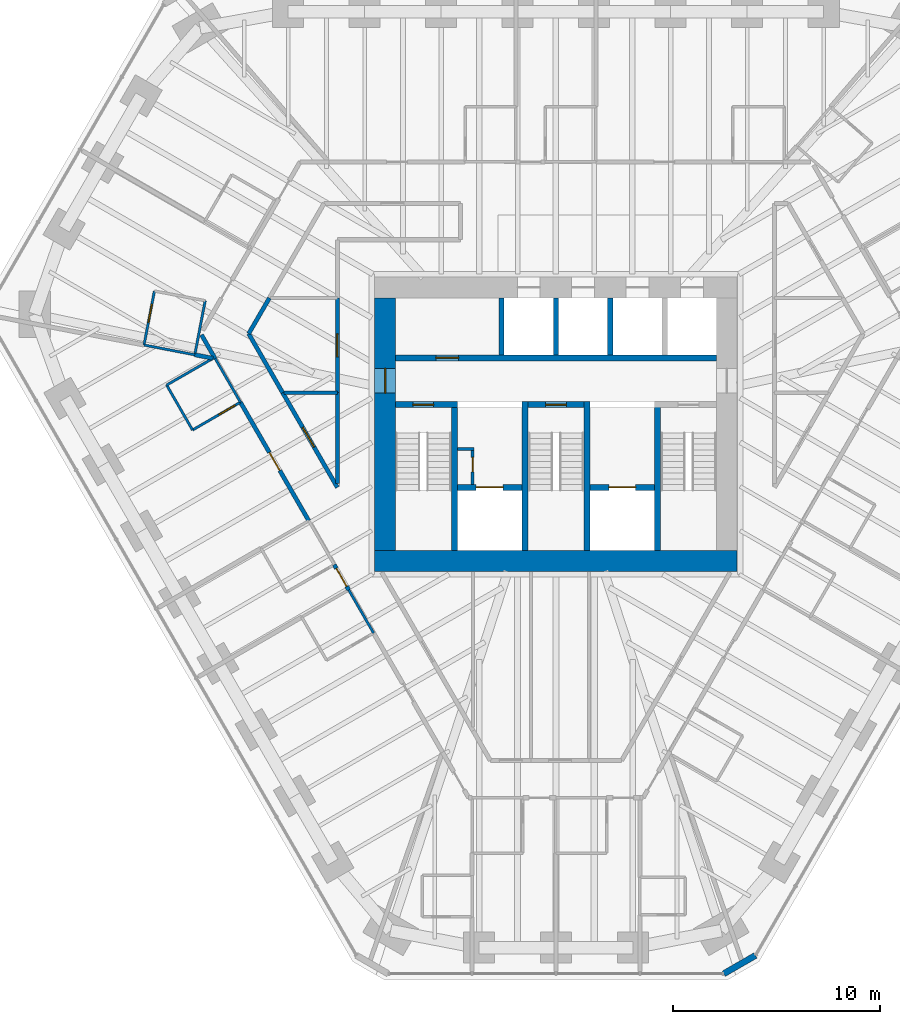
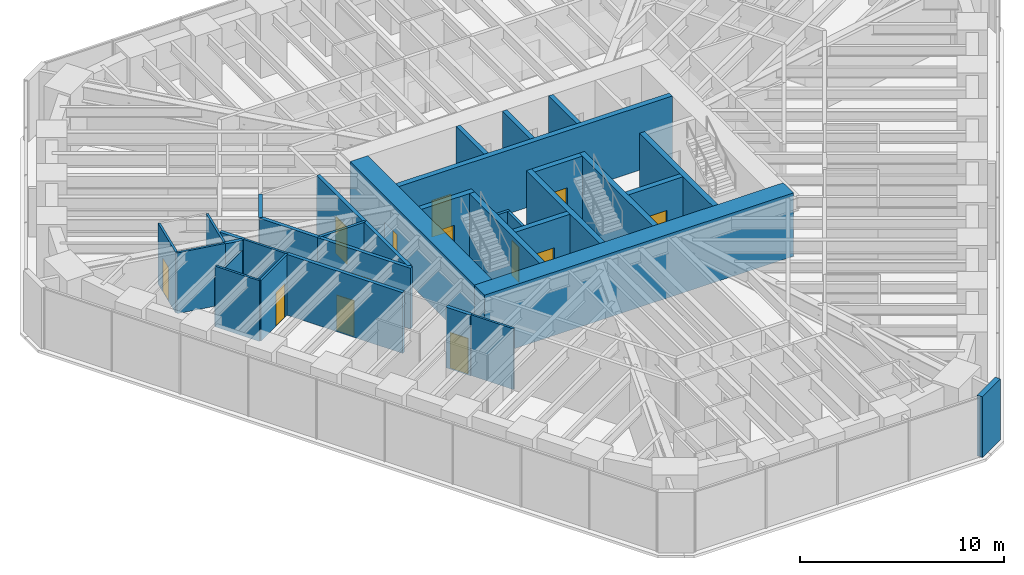
# One storey, part 12 of 16: 35 walls, 13 doors, 13 openings.
"""IFC4 building model written with IfcOpenShell, lengths in metres."""

import ifcopenshell
import ifcopenshell.guid

model = None  # the IFC model being written
_history = None  # IfcOwnerHistory: only IFC2X3 demands one
_inside = {}  # id of a spatial element -> (the spatial element, [elements in it])
_under = {}  # id of a project, library or spatial element -> (it, [spatial elements below it])
_declared = {}  # id of a project -> (the project, [libraries it declares])
_typed = {}  # id of a type object -> (the type object, [elements of that type])
_made_of = {}  # id of a material, layer set ... -> (it, [elements and type objects made of it])


def new_model(schema):
    """Start an empty IFC model of exactly this schema.

    Asked for "IFC4X3", IfcOpenShell would pick the latest addendum, in which some entities
    have other attributes; the version numbers below select the first issue.
    IFC2X3 requires an IfcOwnerHistory on every rooted entity: one is made here for all.
    """
    global model, _history
    if schema == "IFC4X3":
        model = ifcopenshell.file(schema_version=(4, 3, 0, 0))
    else:
        model = ifcopenshell.file(schema=schema)
    _inside.clear()
    _under.clear()
    _declared.clear()
    _typed.clear()
    _made_of.clear()
    _history = None
    if model.schema == "IFC2X3":
        org = make("IfcOrganization", Name="unknown")
        user = make(
            "IfcPersonAndOrganization",
            ThePerson=make("IfcPerson", FamilyName="unknown"),
            TheOrganization=org,
        )
        app = make(
            "IfcApplication",
            ApplicationDeveloper=org,
            Version="unknown",
            ApplicationFullName="unknown",
            ApplicationIdentifier="unknown",
        )
        _history = make(
            "IfcOwnerHistory",
            OwningUser=user,
            OwningApplication=app,
            ChangeAction="ADDED",
            CreationDate=0,
        )
    return model


def make(cls, **values):
    """One entity of the class cls with the attributes given. An attribute that is None is left unset."""
    return model.create_entity(
        cls, **{name: value for name, value in values.items() if value is not None}
    )


def rooted(cls, **values):
    """An entity with a GlobalId (a new one), such as an element, a storey or a relation."""
    return make(cls, GlobalId=ifcopenshell.guid.new(), OwnerHistory=_history, **values)


def si_unit(unit_type, name, prefix=None):
    """IfcSIUnit, for example si_unit("LENGTHUNIT", "METRE", prefix="MILLI")."""
    return make("IfcSIUnit", UnitType=unit_type, Prefix=prefix, Name=name)


def assignment(units):
    """IfcUnitAssignment: the units of a project."""
    return None if units is None else make("IfcUnitAssignment", Units=units)


def point(xyz):
    """IfcCartesianPoint."""
    return None if xyz is None else make("IfcCartesianPoint", Coordinates=xyz)


def direction(xyz):
    """IfcDirection."""
    return None if xyz is None else make("IfcDirection", DirectionRatios=xyz)


def frame(location, z_axis=None, x_axis=None):
    """IfcAxis2Placement3D, a coordinate frame: its origin and axes. An axis left out is left unset."""
    return make(
        "IfcAxis2Placement3D",
        Location=point(location),
        Axis=direction(z_axis),
        RefDirection=direction(x_axis),
    )


def frame_2d(location, x_axis=None):
    """IfcAxis2Placement2D, a coordinate frame in the plane: its origin and x axis."""
    return make(
        "IfcAxis2Placement2D", Location=point(location), RefDirection=direction(x_axis)
    )


def origin():
    """The frame at (0, 0, 0) with its axes left unset."""
    return frame((0.0, 0.0, 0.0))


def place(relative_to, where):
    """IfcLocalPlacement: puts the frame where relative to a parent placement (None: the world)."""
    return make(
        "IfcLocalPlacement", PlacementRelTo=relative_to, RelativePlacement=where
    )


def context(
    kind, dimensions, precision=None, world=None, true_north=None, identifier=None
):
    """IfcGeometricRepresentationContext, for example the 3D "Model" context."""
    return make(
        "IfcGeometricRepresentationContext",
        ContextIdentifier=identifier,
        ContextType=kind,
        CoordinateSpaceDimension=dimensions,
        Precision=precision,
        WorldCoordinateSystem=world,
        TrueNorth=true_north,
    )


def subcontext(parent, identifier, kind, view, scale=None):
    """IfcGeometricRepresentationSubContext, for example "Body" below "Model"."""
    return make(
        "IfcGeometricRepresentationSubContext",
        ContextIdentifier=identifier,
        ContextType=kind,
        ParentContext=parent,
        TargetScale=scale,
        TargetView=view,
    )


def project(units=None, contexts=None):
    """IfcProject with its units and contexts."""
    return rooted(
        "IfcProject",
        Name="project",
        RepresentationContexts=contexts,
        UnitsInContext=assignment(units),
    )


def spatial(cls, under=None, at=None, **own):
    """A site, building, storey or space (cls), placed at a placement, below another one or the project."""
    s = rooted(cls, ObjectPlacement=at, **own)
    if under is not None:
        _under.setdefault(under.id(), (under, []))[1].append(s)
    return s


def profile(cls, at=None, kind="AREA", **sizes):
    """A parametric profile (cls). Its sizes go by their IFC names, for example OverallWidth=200.0."""
    return make(cls, ProfileType=kind, Position=at, **sizes)


def rectangle(**sizes):
    """IfcRectangleProfileDef."""
    return profile("IfcRectangleProfileDef", **sizes)


def extrude(swept, where, along, depth):
    """IfcExtrudedAreaSolid: the profile swept, set in the frame where, extruded along a direction by depth."""
    return make(
        "IfcExtrudedAreaSolid",
        SweptArea=swept,
        Position=where,
        ExtrudedDirection=direction(along),
        Depth=depth,
    )


def shape(context_of_items, identifier, shape_type, items):
    """IfcShapeRepresentation: the items that make up one representation, for example the "Body"."""
    return make(
        "IfcShapeRepresentation",
        ContextOfItems=context_of_items,
        RepresentationIdentifier=identifier,
        RepresentationType=shape_type,
        Items=items,
    )


def material(Name=None, Category=None):
    """IfcMaterial."""
    return make("IfcMaterial", Name=Name, Category=Category)


def layer(
    of_material, thickness, ventilated=None, Name=None, Category=None, Priority=None
):
    """IfcMaterialLayer: one layer of a wall or slab, of a material (None: an air gap)."""
    return make(
        "IfcMaterialLayer",
        Material=of_material,
        LayerThickness=thickness,
        IsVentilated=ventilated,
        Name=Name,
        Category=Category,
        Priority=Priority,
    )


def layer_set(layers, Name=None):
    """IfcMaterialLayerSet."""
    return make("IfcMaterialLayerSet", MaterialLayers=layers, LayerSetName=Name)


def made_of(thing, what):
    """Note that an element or type object is made of a material, layer set ...; save() writes the relation."""
    if what is not None:
        _made_of.setdefault(what.id(), (what, []))[1].append(thing)
    return thing


def type_object(cls, material=None, **own):
    """A type object (cls), such as IfcWallType, which elements share."""
    return made_of(rooted(cls, **own), material)


def element(
    cls,
    number,
    at=None,
    inside=None,
    cuts=None,
    type_object=None,
    material=None,
    context=None,
    identifier="Body",
    shape_type=None,
    held_by="IfcProductDefinitionShape",
    body=None,
    shapes=None,
    **own,
):
    """One element of the class cls, such as IfcWall. Its Tag is "e" and its number.

    at: its placement. inside: the storey or other place that contains it. cuts: it is an
    opening in that element (IfcRelVoidsElement). A single representation is given by context,
    identifier, shape_type and body (its items); several are given by shapes. held_by: the class
    of the entity that holds the representations. save() writes the other relations.
    """
    e = rooted(cls, Tag="e%d" % number, ObjectPlacement=at, **own)
    if body is not None:
        shapes = [shape(context, identifier, shape_type, body)]
    if shapes is not None:
        e.Representation = make(held_by, Representations=shapes)
    if inside is not None:
        _inside.setdefault(inside.id(), (inside, []))[1].append(e)
    if cuts is not None:
        rooted(
            "IfcRelVoidsElement", RelatingBuildingElement=cuts, RelatedOpeningElement=e
        )
    if type_object is not None:
        _typed.setdefault(type_object.id(), (type_object, []))[1].append(e)
    return made_of(e, material)


def fill(opening, filler):
    """IfcRelFillsElement: the door or window that sits in an opening."""
    return rooted(
        "IfcRelFillsElement",
        RelatingOpeningElement=opening,
        RelatedBuildingElement=filler,
    )


def aggregate(whole, parts):
    """IfcRelAggregates: a whole, such as a stair, and the parts it consists of."""
    return rooted("IfcRelAggregates", RelatingObject=whole, RelatedObjects=parts)


def save(model, path):
    """Write the relations noted so far, then the file.

    IfcRelAggregates (storeys below a building ...), IfcRelContainedInSpatialStructure (elements
    in a storey), IfcRelDefinesByType, IfcRelAssociatesMaterial and IfcRelDeclares: one each for
    every whole, place, type object, material and project.
    """
    for whole, parts in _under.values():
        aggregate(whole, parts)
    for where, things in _inside.values():
        rooted(
            "IfcRelContainedInSpatialStructure",
            RelatedElements=things,
            RelatingStructure=where,
        )
    for kind, things in _typed.values():
        rooted("IfcRelDefinesByType", RelatedObjects=things, RelatingType=kind)
    for what, things in _made_of.values():
        rooted("IfcRelAssociatesMaterial", RelatedObjects=things, RelatingMaterial=what)
    for by, libraries in _declared.values():
        rooted("IfcRelDeclares", RelatingContext=by, RelatedDefinitions=libraries)
    model.write(path)


model = new_model("IFC4")

# Units and contexts
model_context = context("Model", 3, precision=1e-05, world=origin(), true_north=direction((0.0, 1.0)))
body_context = subcontext(model_context, "Body", "Model", "MODEL_VIEW")
ifc_project = project(units=[si_unit("LENGTHUNIT", "METRE"), si_unit("AREAUNIT", "SQUARE_METRE"), si_unit("VOLUMEUNIT", "CUBIC_METRE"), si_unit("PLANEANGLEUNIT", "RADIAN"), si_unit("MASSUNIT", "GRAM", prefix="KILO")], contexts=[model_context])

# Site, building, storey
site_placement = place(None, origin())
site = spatial("IfcSite", under=ifc_project, at=site_placement, CompositionType="ELEMENT")
building_placement = place(site_placement, origin())
building = spatial("IfcBuilding", under=site, at=building_placement, Name="Sandreach Pilgrim Tower", CompositionType="ELEMENT")
storey_placement = place(building_placement, frame((0.0, 0.0, 190.800048828125)))
storey = spatial("IfcBuildingStorey", under=building, at=storey_placement, Name="L47", CompositionType="ELEMENT", Elevation=190.800048828125)

# Walls
ifc_material_1 = material(Name="Gypsum board on steel studs", Category="steel")
ifc_layer_1 = layer(ifc_material_1, 0.14990234375)
ifc_layer_set_1 = layer_set([ifc_layer_1], Name="Back of house wall 150")
wall_type_1 = type_object("IfcWallType", Name="Back of house wall 150", PredefinedType="PARTITIONING", material=ifc_layer_set_1)
wall_1_placement = place(storey_placement, frame((-10.550048828125, 1.52001953125, 0.0), z_axis=(0.0, 0.0, 1.0), x_axis=(-1.0, 0.0, 0.0)))
element("IfcWall", 1, at=wall_1_placement, inside=storey, type_object=wall_type_1, Name="Back of house wall L47-039", PredefinedType="PARTITIONING", context=body_context, shape_type="SweptSolid", body=[
    extrude(rectangle(XDim=2.5849609375, YDim=0.14990234375, at=frame_2d((1.29248046875, 0.0))), origin(), (0.0, 0.0, 1.0), 3.639892578125),
])
ifc_material_2 = material(Name="Moisture-resistant gypsum board on steel studs", Category="steel")
ifc_layer_2 = layer(ifc_material_2, 0.1201171875)
ifc_layer_set_2 = layer_set([ifc_layer_2], Name="Bathroom partition 120")
wall_type_2 = type_object("IfcWallType", Name="Bathroom partition 120", PredefinedType="PARTITIONING", material=ifc_layer_set_2)
wall_2_placement = place(storey_placement, frame((-19.88134765625, 3.82275390625, 0.0), z_axis=(0.0, 0.0, 1.0), x_axis=(0.981896775229, -0.189416796496, 0.0)))
element("IfcWall", 2, at=wall_2_placement, inside=storey, type_object=wall_type_2, Name="Bathroom partition L47-002", PredefinedType="PARTITIONING", context=body_context, shape_type="SweptSolid", body=[
    extrude(rectangle(XDim=2.49658203125, YDim=0.1201171875, at=frame_2d((1.248291015625, 0.0))), origin(), (0.0, 0.0, 1.0), 3.639892578125),
])

# Wall, opening, door
wall_3_placement = place(storey_placement, frame((-19.3798828125, 6.429931640625, 0.0), z_axis=(0.0, 0.0, 1.0), x_axis=(-0.18885765444, -0.982004473696, 0.0)))
wall_3 = element("IfcWall", 3, at=wall_3_placement, inside=storey, type_object=wall_type_2, Name="Bathroom partition L47-003", PredefinedType="PARTITIONING", context=body_context, shape_type="SweptSolid", body=[
    extrude(rectangle(XDim=2.6474609375, YDim=0.1201171875, at=frame_2d((1.32373046875, 0.0))), origin(), (0.0, 0.0, 1.0), 3.639892578125),
])
opening_1_placement = place(wall_3_placement, frame((0.64990234375, 0.0, 0.0)))
opening_1 = element("IfcOpeningElement", 4, at=opening_1_placement, cuts=wall_3, Name="Opening D09-16B", PredefinedType="OPENING", context=body_context, shape_type="SweptSolid", body=[
    extrude(rectangle(XDim=0.89990234375, YDim=2.030029296875, at=frame_2d((0.449951171875, 1.01513671875))), frame((0.0, 0.06005859375, 0.0), z_axis=(0.0, -1.0, 0.0), x_axis=(1.0, 0.0, 0.0)), (0.0, 0.0, 1.0), 0.1201171875),
])
ifc_material_3 = material(Name="Timber door, steel frame", Category="steel")
door_type_1 = type_object("IfcDoorType", Name="Bathroom door", OperationType="SINGLE_SWING_LEFT", PredefinedType="DOOR", material=ifc_material_3)
door_1_placement = place(opening_1_placement, origin())
door_1 = element("IfcDoor", 5, at=door_1_placement, inside=storey, type_object=door_type_1, Name="Door 4716B", OperationType="SINGLE_SWING_LEFT", OverallHeight=2.030029296875, OverallWidth=0.89990234375, PredefinedType="DOOR", context=body_context, shape_type="SweptSolid", body=[
    extrude(rectangle(XDim=0.89990234375, YDim=2.030029296875, at=frame_2d((0.449951171875, 1.01513671875))), frame((0.0, 0.02490234375, 0.0), z_axis=(0.0, -1.0, 0.0), x_axis=(1.0, 0.0, 0.0)), (0.0, 0.0, 1.0), 0.050048828125),
])
fill(opening_1, door_1)

# Wall
wall_4_placement = place(storey_placement, frame((-18.7900390625, 1.889892578125, 0.0), z_axis=(0.0, 0.0, 1.0), x_axis=(0.499159685399, -0.866510016372, 0.0)))
element("IfcWall", 6, at=wall_4_placement, inside=storey, type_object=wall_type_2, Name="Bathroom partition L47-005", PredefinedType="PARTITIONING", context=body_context, shape_type="SweptSolid", body=[
    extrude(rectangle(XDim=2.504150390625, YDim=0.1201171875, at=frame_2d((1.251953125, 0.0))), origin(), (0.0, 0.0, 1.0), 3.639892578125),
])

# Wall, opening, door
wall_5_placement = place(storey_placement, frame((-17.5400390625, -0.280029296875, 0.0), z_axis=(0.0, 0.0, 1.0), x_axis=(0.86498992408, 0.501789229896, 0.0)))
wall_5 = element("IfcWall", 7, at=wall_5_placement, inside=storey, type_object=wall_type_2, Name="Bathroom partition L47-006", PredefinedType="PARTITIONING", context=body_context, shape_type="SweptSolid", body=[
    extrude(rectangle(XDim=2.670654296875, YDim=0.1201171875, at=frame_2d((1.33544921875, 0.0))), origin(), (0.0, 0.0, 1.0), 3.639892578125),
])
opening_2_placement = place(wall_5_placement, frame((1.470458984375, 0.0, 0.0)))
opening_2 = element("IfcOpeningElement", 8, at=opening_2_placement, cuts=wall_5, Name="Opening D09-15B", PredefinedType="OPENING", context=body_context, shape_type="SweptSolid", body=[
    extrude(rectangle(XDim=0.89990234375, YDim=2.030029296875, at=frame_2d((0.449951171875, 1.01513671875))), frame((0.0, 0.06005859375, 0.0), z_axis=(0.0, -1.0, 0.0), x_axis=(1.0, 0.0, 0.0)), (0.0, 0.0, 1.0), 0.1201171875),
])
door_2_placement = place(opening_2_placement, origin())
door_2 = element("IfcDoor", 9, at=door_2_placement, inside=storey, type_object=door_type_1, Name="Door 4715B", OperationType="SINGLE_SWING_RIGHT", OverallHeight=2.030029296875, OverallWidth=0.89990234375, PredefinedType="DOOR", context=body_context, shape_type="SweptSolid", body=[
    extrude(rectangle(XDim=0.89990234375, YDim=2.030029296875, at=frame_2d((0.449951171875, 1.01513671875))), frame((0.0, 0.02490234375, 0.0), z_axis=(0.0, -1.0, 0.0), x_axis=(1.0, 0.0, 0.0)), (0.0, 0.0, 1.0), 0.050048828125),
])
fill(opening_2, door_2)

# Walls
wall_6_placement = place(storey_placement, frame((-17.429931640625, 3.35009765625, 0.0), z_axis=(0.0, 0.0, 1.0), x_axis=(0.188159009227, 0.982138578433, 0.0)))
element("IfcWall", 10, at=wall_6_placement, inside=storey, type_object=wall_type_2, Name="Bathroom partition L47-007", PredefinedType="PARTITIONING", context=body_context, shape_type="SweptSolid", body=[
    extrude(rectangle(XDim=2.6572265625, YDim=0.1201171875, at=frame_2d((1.32861328125, 0.0))), origin(), (0.0, 0.0, 1.0), 3.639892578125),
])
wall_7_placement = place(storey_placement, frame((-16.623779296875, 3.1376953125, 0.0), z_axis=(0.0, 0.0, 1.0), x_axis=(-0.866525185869, -0.499133351175, 0.0)))
element("IfcWall", 11, at=wall_7_placement, inside=storey, type_object=wall_type_2, Name="Bathroom partition L47-014", PredefinedType="PARTITIONING", context=body_context, shape_type="SweptSolid", body=[
    extrude(rectangle(XDim=2.5, YDim=0.1201171875, at=frame_2d((1.25, 0.0))), origin(), (0.0, 0.0, 1.0), 3.0380859375),
])
wall_8_placement = place(storey_placement, frame((-16.44677734375, 3.171875, 0.0), z_axis=(0.0, 0.0, 1.0), x_axis=(0.500329330271, -0.865835181354, 0.0)))
element("IfcWall", 12, at=wall_8_placement, inside=storey, type_object=wall_type_2, Name="Bathroom partition L47-015", PredefinedType="PARTITIONING", context=body_context, shape_type="SweptSolid", body=[
    extrude(rectangle(XDim=2.437255859375, YDim=0.1201171875, at=frame_2d((1.21875, 0.0))), origin(), (0.0, 0.0, 1.0), 3.639892578125),
])
wall_9_placement = place(storey_placement, frame((-10.0, -8.0, 0.0), z_axis=(0.0, 0.0, 1.0), x_axis=(0.499693115345, -0.866202511239, 0.0)))
element("IfcWall", 13, at=wall_9_placement, inside=storey, type_object=wall_type_2, Name="Bathroom partition L47-043", PredefinedType="PARTITIONING", context=body_context, shape_type="SweptSolid", body=[
    extrude(rectangle(XDim=2.4013671875, YDim=0.1201171875, at=frame_2d((1.20068359375, 0.0))), origin(), (0.0, 0.0, 1.0), 3.639892578125),
])
ifc_material_4 = material(Name="Concrete 10000 psi", Category="concrete")
ifc_layer_3 = layer(ifc_material_4, 0.300048828125)
ifc_layer_set_3 = layer_set([ifc_layer_3], Name="Core inner wall 300")
wall_type_3 = type_object("IfcWallType", Name="Core inner wall 300", PredefinedType="SHEAR", material=ifc_layer_set_3)
for number, where, z_axis, x_axis, name in (
    (14, (-4.89990234375, -6.10009765625, 0.0), (0.0, 0.0, 1.0), (0.0, 1.0, 0.0), "Core wall I0 L47"),
    (15, (-1.5, -6.10009765625, 0.0), (0.0, 0.0, 1.0), (0.0, 1.0, 0.0), "Core wall I1 L47"),
    (16, (1.5, -6.10009765625, 0.0), (0.0, 0.0, 1.0), (0.0, 1.0, 0.0), "Core wall I2 L47"),
    (17, (4.89990234375, -6.10009765625, 0.0), (0.0, 0.0, 1.0), (0.0, 1.0, 0.0), "Core wall I3 L47"),
):
    element("IfcWall", number, at=place(storey_placement, frame(where, z_axis=z_axis, x_axis=x_axis)), inside=storey, type_object=wall_type_3, Name=name, PredefinedType="SHEAR", context=body_context, shape_type="SweptSolid", body=[
        extrude(rectangle(XDim=7.2001953125, YDim=0.300048828125, at=frame_2d((3.60009765625, 0.0))), origin(), (0.0, 0.0, 1.0), 3.800048828125),
    ])

# Wall, opening, door
wall_10_placement = place(storey_placement, frame((-7.75, 0.949951171875, 0.0), z_axis=(0.0, 0.0, 1.0), x_axis=(1.0, 0.0, 0.0)))
wall_10 = element("IfcWall", 18, at=wall_10_placement, inside=storey, type_object=wall_type_3, Name="Core wall SN1 L47", PredefinedType="SHEAR", context=body_context, shape_type="SweptSolid", body=[
    extrude(rectangle(XDim=3.0, YDim=0.300048828125, at=frame_2d((1.5, 0.0))), origin(), (0.0, 0.0, 1.0), 3.800048828125),
])
opening_3_placement = place(wall_10_placement, frame((0.85009765625, 0.0, 0.0)))
opening_3 = element("IfcOpeningElement", 19, at=opening_3_placement, cuts=wall_10, Name="Opening D10S-ST1", PredefinedType="OPENING", context=body_context, shape_type="SweptSolid", body=[
    extrude(rectangle(XDim=1.0, YDim=2.199951171875, at=frame_2d((0.5, 1.10009765625))), frame((0.0, 0.14990234375, 0.0), z_axis=(0.0, -1.0, 0.0), x_axis=(1.0, 0.0, 0.0)), (0.0, 0.0, 1.0), 0.300048828125),
])
ifc_material_5 = material(Name="Steel door and frame", Category="steel")
door_type_2 = type_object("IfcDoorType", Name="Stair door", OperationType="SINGLE_SWING_LEFT", PredefinedType="DOOR", material=ifc_material_5)
door_3_placement = place(opening_3_placement, origin())
door_3 = element("IfcDoor", 20, at=door_3_placement, inside=storey, type_object=door_type_2, Name="Stair door ST1 L47", OperationType="SINGLE_SWING_LEFT", OverallHeight=2.199951171875, OverallWidth=1.0, PredefinedType="DOOR", context=body_context, shape_type="SweptSolid", body=[
    extrude(rectangle(XDim=1.0, YDim=2.199951171875, at=frame_2d((0.5, 1.10009765625))), frame((0.0, 0.02490234375, 0.0), z_axis=(0.0, -1.0, 0.0), x_axis=(1.0, 0.0, 0.0)), (0.0, 0.0, 1.0), 0.050048828125),
])
fill(opening_3, door_3)

wall_11_placement = place(storey_placement, frame((-1.35009765625, 0.949951171875, 0.0), z_axis=(0.0, 0.0, 1.0), x_axis=(1.0, 0.0, 0.0)))
wall_11 = element("IfcWall", 21, at=wall_11_placement, inside=storey, type_object=wall_type_3, Name="Core wall SN3 L47", PredefinedType="SHEAR", context=body_context, shape_type="SweptSolid", body=[
    extrude(rectangle(XDim=2.7001953125, YDim=0.300048828125, at=frame_2d((1.35009765625, 0.0))), origin(), (0.0, 0.0, 1.0), 3.800048828125),
])
opening_4_placement = place(wall_11_placement, frame((0.85009765625, 0.0, 0.0)))
opening_4 = element("IfcOpeningElement", 22, at=opening_4_placement, cuts=wall_11, Name="Opening D10S-ST3", PredefinedType="OPENING", context=body_context, shape_type="SweptSolid", body=[
    extrude(rectangle(XDim=1.0, YDim=2.199951171875, at=frame_2d((0.5, 1.10009765625))), frame((0.0, 0.14990234375, 0.0), z_axis=(0.0, -1.0, 0.0), x_axis=(1.0, 0.0, 0.0)), (0.0, 0.0, 1.0), 0.300048828125),
])
door_4_placement = place(opening_4_placement, origin())
door_4 = element("IfcDoor", 23, at=door_4_placement, inside=storey, type_object=door_type_2, Name="Stair door ST3 L47", OperationType="SINGLE_SWING_LEFT", OverallHeight=2.199951171875, OverallWidth=1.0, PredefinedType="DOOR", context=body_context, shape_type="SweptSolid", body=[
    extrude(rectangle(XDim=1.0, YDim=2.199951171875, at=frame_2d((0.5, 1.10009765625))), frame((0.0, 0.02490234375, 0.0), z_axis=(0.0, -1.0, 0.0), x_axis=(1.0, 0.0, 0.0)), (0.0, 0.0, 1.0), 0.050048828125),
])
fill(opening_4, door_4)

wall_12_placement = place(storey_placement, frame((-4.75, -3.050048828125, 0.0), z_axis=(0.0, 0.0, 1.0), x_axis=(1.0, 0.0, 0.0)))
wall_12 = element("IfcWall", 24, at=wall_12_placement, inside=storey, type_object=wall_type_3, Name="Core wall FL1 L47", PredefinedType="SHEAR", context=body_context, shape_type="SweptSolid", body=[
    extrude(rectangle(XDim=3.10009765625, YDim=0.300048828125, at=frame_2d((1.550048828125, 0.0))), origin(), (0.0, 0.0, 1.0), 3.800048828125),
])
opening_5_placement = place(wall_12_placement, frame((0.89990234375, 0.0, 0.0)))
opening_5 = element("IfcOpeningElement", 25, at=opening_5_placement, cuts=wall_12, Name="Opening LD13", PredefinedType="OPENING", context=body_context, shape_type="SweptSolid", body=[
    extrude(rectangle(XDim=1.300048828125, YDim=2.10009765625, at=frame_2d((0.64990234375, 1.050048828125))), frame((0.0, 0.14990234375, 0.0), z_axis=(0.0, -1.0, 0.0), x_axis=(1.0, 0.0, 0.0)), (0.0, 0.0, 1.0), 0.300048828125),
])
ifc_material_6 = material(Name="Steel door and frame", Category="steel")
door_type_3 = type_object("IfcDoorType", Name="Fire service lift landing door", OperationType="DOUBLE_DOOR_SLIDING", PredefinedType="DOOR", material=ifc_material_6)
door_5_placement = place(opening_5_placement, origin())
door_5 = element("IfcDoor", 26, at=door_5_placement, inside=storey, type_object=door_type_3, Name="Lift landing door FS1 L47", OperationType="DOUBLE_DOOR_SLIDING", OverallHeight=2.10009765625, OverallWidth=1.300048828125, PredefinedType="DOOR", context=body_context, shape_type="SweptSolid", body=[
    extrude(rectangle(XDim=1.300048828125, YDim=2.10009765625, at=frame_2d((0.64990234375, 1.050048828125))), frame((0.0, 0.02490234375, 0.0), z_axis=(0.0, -1.0, 0.0), x_axis=(1.0, 0.0, 0.0)), (0.0, 0.0, 1.0), 0.050048828125),
])
fill(opening_5, door_5)

wall_13_placement = place(storey_placement, frame((1.64990234375, -3.050048828125, 0.0), z_axis=(0.0, 0.0, 1.0), x_axis=(1.0, 0.0, 0.0)))
wall_13 = element("IfcWall", 27, at=wall_13_placement, inside=storey, type_object=wall_type_3, Name="Core wall FL2 L47", PredefinedType="SHEAR", context=body_context, shape_type="SweptSolid", body=[
    extrude(rectangle(XDim=3.10009765625, YDim=0.300048828125, at=frame_2d((1.550048828125, 0.0))), origin(), (0.0, 0.0, 1.0), 3.800048828125),
])
opening_6_placement = place(wall_13_placement, frame((0.89990234375, 0.0, 0.0)))
opening_6 = element("IfcOpeningElement", 28, at=opening_6_placement, cuts=wall_13, Name="Opening LD13", PredefinedType="OPENING", context=body_context, shape_type="SweptSolid", body=[
    extrude(rectangle(XDim=1.300048828125, YDim=2.10009765625, at=frame_2d((0.64990234375, 1.050048828125))), frame((0.0, 0.14990234375, 0.0), z_axis=(0.0, -1.0, 0.0), x_axis=(1.0, 0.0, 0.0)), (0.0, 0.0, 1.0), 0.300048828125),
])
door_6_placement = place(opening_6_placement, origin())
door_6 = element("IfcDoor", 29, at=door_6_placement, inside=storey, type_object=door_type_3, Name="Lift landing door FS2 L47", OperationType="DOUBLE_DOOR_SLIDING", OverallHeight=2.10009765625, OverallWidth=1.300048828125, PredefinedType="DOOR", context=body_context, shape_type="SweptSolid", body=[
    extrude(rectangle(XDim=1.300048828125, YDim=2.10009765625, at=frame_2d((0.64990234375, 1.050048828125))), frame((0.0, 0.02490234375, 0.0), z_axis=(0.0, -1.0, 0.0), x_axis=(1.0, 0.0, 0.0)), (0.0, 0.0, 1.0), 0.050048828125),
])
fill(opening_6, door_6)

wall_14_placement = place(storey_placement, frame((-7.75, 3.199951171875, 0.0), z_axis=(0.0, 0.0, 1.0), x_axis=(1.0, 0.0, 0.0)))
wall_14 = element("IfcWall", 30, at=wall_14_placement, inside=storey, type_object=wall_type_3, Name="Core wall PN L47", PredefinedType="SHEAR", context=body_context, shape_type="SweptSolid", body=[
    extrude(rectangle(XDim=15.5, YDim=0.300048828125, at=frame_2d((7.75, 0.0))), origin(), (0.0, 0.0, 1.0), 3.800048828125),
])
opening_7_placement = place(wall_14_placement, frame((1.949951171875, 0.0, 0.0)))
opening_7 = element("IfcOpeningElement", 31, at=opening_7_placement, cuts=wall_14, Name="Opening D11L", PredefinedType="OPENING", context=body_context, shape_type="SweptSolid", body=[
    extrude(rectangle(XDim=1.10009765625, YDim=2.199951171875, at=frame_2d((0.550048828125, 1.10009765625))), frame((0.0, 0.14990234375, 0.0), z_axis=(0.0, -1.0, 0.0), x_axis=(1.0, 0.0, 0.0)), (0.0, 0.0, 1.0), 0.300048828125),
])
ifc_material_7 = material(Name="Steel door and frame, smoke seals", Category="steel")
door_type_4 = type_object("IfcDoorType", Name="Core room door", OperationType="SINGLE_SWING_LEFT", PredefinedType="DOOR", material=ifc_material_7)
door_7_placement = place(opening_7_placement, origin())
door_7 = element("IfcDoor", 32, at=door_7_placement, inside=storey, type_object=door_type_4, Name="Door linen and housekeeping store 47K1", OperationType="SINGLE_SWING_LEFT", OverallHeight=2.199951171875, OverallWidth=1.10009765625, PredefinedType="DOOR", context=body_context, shape_type="SweptSolid", body=[
    extrude(rectangle(XDim=1.10009765625, YDim=2.199951171875, at=frame_2d((0.550048828125, 1.10009765625))), frame((0.0, 0.02490234375, 0.0), z_axis=(0.0, -1.0, 0.0), x_axis=(1.0, 0.0, 0.0)), (0.0, 0.0, 1.0), 0.050048828125),
])
fill(opening_7, door_7)

# Wall
ifc_material_8 = material(Name="Concrete 10000 psi", Category="concrete")
ifc_layer_4 = layer(ifc_material_8, 1.0)
ifc_layer_set_4 = layer_set([ifc_layer_4], Name="Core wall 1000")
wall_type_4 = type_object("IfcWallType", Name="Core wall 1000", PredefinedType="SHEAR", material=ifc_layer_set_4)
wall_15_placement = place(storey_placement, frame((-8.75, -6.60009765625, 0.0), z_axis=(0.0, 0.0, 1.0), x_axis=(1.0, 0.0, 0.0)))
element("IfcWall", 33, at=wall_15_placement, inside=storey, type_object=wall_type_4, Name="Core wall S L47", PredefinedType="SHEAR", context=body_context, shape_type="SweptSolid", body=[
    extrude(rectangle(XDim=17.5, YDim=1.0, at=frame_2d((8.75, 0.0))), origin(), (0.0, 0.0, 1.0), 3.800048828125),
])

# Wall, opening, door
wall_16_placement = place(storey_placement, frame((-8.25, -6.10009765625, 0.0), z_axis=(0.0, 0.0, 1.0), x_axis=(0.0, 1.0, 0.0)))
wall_16 = element("IfcWall", 34, at=wall_16_placement, inside=storey, type_object=wall_type_4, Name="Core wall W L47", PredefinedType="SHEAR", context=body_context, shape_type="SweptSolid", body=[
    extrude(rectangle(XDim=12.2001953125, YDim=1.0, at=frame_2d((6.10009765625, 0.0))), origin(), (0.0, 0.0, 1.0), 3.800048828125),
])
opening_8_placement = place(wall_16_placement, frame((7.60009765625, 0.0, 0.0)))
opening_8 = element("IfcOpeningElement", 35, at=opening_8_placement, cuts=wall_16, Name="Opening D12F-W", PredefinedType="OPENING", context=body_context, shape_type="SweptSolid", body=[
    extrude(rectangle(XDim=1.199951171875, YDim=2.199951171875, at=frame_2d((0.60009765625, 1.10009765625))), frame((0.0, 0.5, 0.0), z_axis=(0.0, -1.0, 0.0), x_axis=(1.0, 0.0, 0.0)), (0.0, 0.0, 1.0), 1.0),
])
ifc_material_9 = material(Name="Steel door and frame", Category="steel")
door_type_5 = type_object("IfcDoorType", Name="Fire lobby door", OperationType="SINGLE_SWING_LEFT", PredefinedType="DOOR", material=ifc_material_9)
door_8_placement = place(opening_8_placement, origin())
door_8 = element("IfcDoor", 36, at=door_8_placement, inside=storey, type_object=door_type_5, Name="Fire service lobby door W L47", OperationType="SINGLE_SWING_RIGHT", OverallHeight=2.199951171875, OverallWidth=1.199951171875, PredefinedType="DOOR", context=body_context, shape_type="SweptSolid", body=[
    extrude(rectangle(XDim=1.199951171875, YDim=2.199951171875, at=frame_2d((0.60009765625, 1.10009765625))), frame((0.0, 0.02490234375, 0.0), z_axis=(0.0, -1.0, 0.0), x_axis=(1.0, 0.0, 0.0)), (0.0, 0.0, 1.0), 0.050048828125),
])
fill(opening_8, door_8)

# Wall
ifc_material_10 = material(Name="Gypsum board on steel studs, two layers each side", Category="steel")
ifc_layer_5 = layer(ifc_material_10, 0.199951171875)
ifc_layer_set_5 = layer_set([ifc_layer_5], Name="Corridor wall 200")
wall_type_5 = type_object("IfcWallType", Name="Corridor wall 200", PredefinedType="PARTITIONING", material=ifc_layer_set_5)
wall_17_placement = place(storey_placement, frame((-17.107666015625, 4.313720703125, 0.0), z_axis=(0.0, 0.0, 1.0), x_axis=(0.498488506644, -0.866896307954, 0.0)))
element("IfcWall", 37, at=wall_17_placement, inside=storey, type_object=wall_type_5, Name="Corridor wall L47-010", PredefinedType="PARTITIONING", context=body_context, shape_type="SweptSolid", body=[
    extrude(rectangle(XDim=1.3193359375, YDim=0.199951171875, at=frame_2d((0.65966796875, 0.0))), origin(), (0.0, 0.0, 1.0), 3.639892578125),
])

# Wall, opening, door
wall_18_placement = place(storey_placement, frame((-15.22998046875, 1.06005859375, 0.0), z_axis=(0.0, 0.0, 1.0), x_axis=(0.499729921425, -0.866181277581, 0.0)))
wall_18 = element("IfcWall", 38, at=wall_18_placement, inside=storey, type_object=wall_type_5, Name="Corridor wall L47-017", PredefinedType="PARTITIONING", context=body_context, shape_type="SweptSolid", body=[
    extrude(rectangle(XDim=6.603759765625, YDim=0.199951171875, at=frame_2d((3.3017578125, 0.0))), origin(), (0.0, 0.0, 1.0), 3.639892578125),
])
opening_9_placement = place(wall_18_placement, frame((2.802001953125, 0.0, 0.0)))
opening_9 = element("IfcOpeningElement", 39, at=opening_9_placement, cuts=wall_18, Name="Opening D10-15", PredefinedType="OPENING", context=body_context, shape_type="SweptSolid", body=[
    extrude(rectangle(XDim=1.0, YDim=2.1298828125, at=frame_2d((0.5, 1.06494140625))), frame((0.0, 0.10009765625, 0.0), z_axis=(0.0, -1.0, 0.0), x_axis=(1.0, 0.0, 0.0)), (0.0, 0.0, 1.0), 0.199951171875),
])
ifc_material_11 = material(Name="Steel door and frame", Category="steel")
door_type_6 = type_object("IfcDoorType", Name="Guest room entry door", OperationType="SINGLE_SWING_LEFT", PredefinedType="DOOR", material=ifc_material_11)
door_9_placement = place(opening_9_placement, origin())
door_9 = element("IfcDoor", 40, at=door_9_placement, inside=storey, type_object=door_type_6, Name="Door 4715", OperationType="SINGLE_SWING_LEFT", OverallHeight=2.1298828125, OverallWidth=1.0, PredefinedType="DOOR", context=body_context, shape_type="SweptSolid", body=[
    extrude(rectangle(XDim=1.0, YDim=2.1298828125, at=frame_2d((0.5, 1.06494140625))), frame((0.0, 0.02490234375, 0.0), z_axis=(0.0, -1.0, 0.0), x_axis=(1.0, 0.0, 0.0)), (0.0, 0.0, 1.0), 0.050048828125),
])
fill(opening_9, door_9)

# Walls
wall_19_placement = place(storey_placement, frame((-14.830078125, 4.3701171875, 0.0), z_axis=(0.0, 0.0, 1.0), x_axis=(0.502626855825, 0.864503466623, 0.0)))
element("IfcWall", 41, at=wall_19_placement, inside=storey, type_object=wall_type_5, Name="Corridor wall L47-019", PredefinedType="PARTITIONING", context=body_context, shape_type="SweptSolid", body=[
    extrude(rectangle(XDim=1.989501953125, YDim=0.199951171875, at=frame_2d((0.99462890625, 0.0))), origin(), (0.0, 0.0, 1.0), 3.639892578125),
])
wall_20_placement = place(storey_placement, frame((-13.18994140625, 1.52001953125, 0.0), z_axis=(0.0, 0.0, 1.0), x_axis=(-0.498775186059, 0.866731396554, 0.0)))
element("IfcWall", 42, at=wall_20_placement, inside=storey, type_object=wall_type_5, Name="Corridor wall L47-028", PredefinedType="PARTITIONING", context=body_context, shape_type="SweptSolid", body=[
    extrude(rectangle(XDim=3.288330078125, YDim=0.199951171875, at=frame_2d((1.64404296875, 0.0))), origin(), (0.0, 0.0, 1.0), 3.639892578125),
])

# Wall, opening, door
wall_21_placement = place(storey_placement, frame((-10.699951171875, -6.780029296875, 0.0), z_axis=(0.0, 0.0, 1.0), x_axis=(0.49643800013, -0.868072181346, 0.0)))
wall_21 = element("IfcWall", 43, at=wall_21_placement, inside=storey, type_object=wall_type_5, Name="Corridor wall L47-037", PredefinedType="PARTITIONING", context=body_context, shape_type="SweptSolid", body=[
    extrude(rectangle(XDim=1.406494140625, YDim=0.199951171875, at=frame_2d((0.703125, 0.0))), origin(), (0.0, 0.0, 1.0), 3.639892578125),
])
opening_10_placement = place(wall_21_placement, frame((0.203369140625, 0.0, 0.0)))
opening_10 = element("IfcOpeningElement", 44, at=opening_10_placement, cuts=wall_21, Name="Opening D10-14", PredefinedType="OPENING", context=body_context, shape_type="SweptSolid", body=[
    extrude(rectangle(XDim=1.0, YDim=2.1298828125, at=frame_2d((0.5, 1.06494140625))), frame((0.0, 0.10009765625, 0.0), z_axis=(0.0, -1.0, 0.0), x_axis=(1.0, 0.0, 0.0)), (0.0, 0.0, 1.0), 0.199951171875),
])
door_10_placement = place(opening_10_placement, origin())
door_10 = element("IfcDoor", 45, at=door_10_placement, inside=storey, type_object=door_type_6, Name="Door 4714", OperationType="SINGLE_SWING_LEFT", OverallHeight=2.1298828125, OverallWidth=1.0, PredefinedType="DOOR", context=body_context, shape_type="SweptSolid", body=[
    extrude(rectangle(XDim=1.0, YDim=2.1298828125, at=frame_2d((0.5, 1.06494140625))), frame((0.0, 0.02490234375, 0.0), z_axis=(0.0, -1.0, 0.0), x_axis=(1.0, 0.0, 0.0)), (0.0, 0.0, 1.0), 0.050048828125),
])
fill(opening_10, door_10)

wall_22_placement = place(storey_placement, frame((-10.550048828125, -3.050048828125, 0.0), z_axis=(0.0, 0.0, 1.0), x_axis=(-0.500193590286, 0.865913605527, 0.0)))
wall_22 = element("IfcWall", 46, at=wall_22_placement, inside=storey, type_object=wall_type_5, Name="Corridor wall L47-038", PredefinedType="PARTITIONING", context=body_context, shape_type="SweptSolid", body=[
    extrude(rectangle(XDim=5.27783203125, YDim=0.199951171875, at=frame_2d((2.638916015625, 0.0))), origin(), (0.0, 0.0, 1.0), 3.639892578125),
])
opening_11_placement = place(wall_22_placement, frame((2.25, 0.0, 0.0)))
opening_11 = element("IfcOpeningElement", 47, at=opening_11_placement, cuts=wall_22, Name="Opening D11H-M02", PredefinedType="OPENING", context=body_context, shape_type="SweptSolid", body=[
    extrude(rectangle(XDim=1.10009765625, YDim=2.199951171875, at=frame_2d((0.550048828125, 1.10009765625))), frame((0.0, 0.10009765625, 0.0), z_axis=(0.0, -1.0, 0.0), x_axis=(1.0, 0.0, 0.0)), (0.0, 0.0, 1.0), 0.199951171875),
])
ifc_material_12 = material(Name="Steel door and frame", Category="steel")
door_type_7 = type_object("IfcDoorType", Name="Back of house door", OperationType="SINGLE_SWING_LEFT", PredefinedType="DOOR", material=ifc_material_12)
door_11_placement = place(opening_11_placement, origin())
door_11 = element("IfcDoor", 48, at=door_11_placement, inside=storey, type_object=door_type_7, Name="Door 47M02", OperationType="SINGLE_SWING_RIGHT", OverallHeight=2.199951171875, OverallWidth=1.10009765625, PredefinedType="DOOR", context=body_context, shape_type="SweptSolid", body=[
    extrude(rectangle(XDim=1.10009765625, YDim=2.199951171875, at=frame_2d((0.550048828125, 1.10009765625))), frame((0.0, 0.02490234375, 0.0), z_axis=(0.0, -1.0, 0.0), x_axis=(1.0, 0.0, 0.0)), (0.0, 0.0, 1.0), 0.050048828125),
])
fill(opening_11, door_11)

# Wall
wall_23_placement = place(storey_placement, frame((-10.550048828125, 1.52001953125, 0.0), z_axis=(0.0, 0.0, 1.0), x_axis=(0.0, -1.0, 0.0)))
element("IfcWall", 49, at=wall_23_placement, inside=storey, type_object=wall_type_5, Name="Corridor wall L47-040", PredefinedType="PARTITIONING", context=body_context, shape_type="SweptSolid", body=[
    extrude(rectangle(XDim=4.375, YDim=0.199951171875, at=frame_2d((2.1875, 0.0))), origin(), (0.0, 0.0, 1.0), 3.639892578125),
])

# Wall, opening, door
wall_24_placement = place(storey_placement, frame((-10.550048828125, 6.090087890625, 0.0), z_axis=(0.0, 0.0, 1.0), x_axis=(0.0, -1.0, 0.0)))
wall_24 = element("IfcWall", 50, at=wall_24_placement, inside=storey, type_object=wall_type_5, Name="Corridor wall L47-041", PredefinedType="PARTITIONING", context=body_context, shape_type="SweptSolid", body=[
    extrude(rectangle(XDim=4.570068359375, YDim=0.199951171875, at=frame_2d((2.28515625, 0.0))), origin(), (0.0, 0.0, 1.0), 3.639892578125),
])
opening_12_placement = place(wall_24_placement, frame((1.735107421875, 0.0, 0.0)))
opening_12 = element("IfcOpeningElement", 51, at=opening_12_placement, cuts=wall_24, Name="Opening D11H-M01", PredefinedType="OPENING", context=body_context, shape_type="SweptSolid", body=[
    extrude(rectangle(XDim=1.10009765625, YDim=2.199951171875, at=frame_2d((0.550048828125, 1.10009765625))), frame((0.0, 0.10009765625, 0.0), z_axis=(0.0, -1.0, 0.0), x_axis=(1.0, 0.0, 0.0)), (0.0, 0.0, 1.0), 0.199951171875),
])
door_12_placement = place(opening_12_placement, origin())
door_12 = element("IfcDoor", 52, at=door_12_placement, inside=storey, type_object=door_type_7, Name="Door 47M01", OperationType="SINGLE_SWING_LEFT", OverallHeight=2.199951171875, OverallWidth=1.10009765625, PredefinedType="DOOR", context=body_context, shape_type="SweptSolid", body=[
    extrude(rectangle(XDim=1.10009765625, YDim=2.199951171875, at=frame_2d((0.550048828125, 1.10009765625))), frame((0.0, 0.02490234375, 0.0), z_axis=(0.0, -1.0, 0.0), x_axis=(1.0, 0.0, 0.0)), (0.0, 0.0, 1.0), 0.050048828125),
])
fill(opening_12, door_12)

# Wall
ifc_material_13 = material(Name="Double steel stud acoustic wall, gypsum board", Category="steel")
ifc_layer_6 = layer(ifc_material_13, 0.199951171875)
ifc_layer_set_6 = layer_set([ifc_layer_6], Name="Party wall 200")
wall_type_6 = type_object("IfcWallType", Name="Party wall 200", PredefinedType="PARTITIONING", material=ifc_layer_set_6)
wall_25_placement = place(storey_placement, frame((-17.429931640625, 3.349853515625, 0.0), z_axis=(0.0, 0.0, 1.0), x_axis=(0.981858463983, -0.189615286052, 0.0)))
element("IfcWall", 53, at=wall_25_placement, inside=storey, type_object=wall_type_6, Name="Party wall L47-008", PredefinedType="PARTITIONING", context=body_context, shape_type="SweptSolid", body=[
    extrude(rectangle(XDim=0.896240234375, YDim=0.199951171875, at=frame_2d((0.4482421875, 0.0))), origin(), (0.0, 0.0, 1.0), 3.639892578125),
])

# Wall, opening, door
ifc_material_14 = material(Name="Gypsum shaft wall on steel studs, shaft liner board", Category="steel")
ifc_layer_7 = layer(ifc_material_14, 0.14990234375)
ifc_layer_set_7 = layer_set([ifc_layer_7], Name="Riser shaft wall 150")
wall_type_7 = type_object("IfcWallType", Name="Riser shaft wall 150", PredefinedType="PARTITIONING", material=ifc_layer_set_7)
wall_26_placement = place(storey_placement, frame((-4.02490234375, -2.89990234375, 0.0), z_axis=(0.0, 0.0, 1.0), x_axis=(0.0, 1.0, 0.0)))
wall_26 = element("IfcWall", 54, at=wall_26_placement, inside=storey, type_object=wall_type_7, Name="Riser partition L47 side", PredefinedType="PARTITIONING", context=body_context, shape_type="SweptSolid", body=[
    extrude(rectangle(XDim=1.77490234375, YDim=0.14990234375, at=frame_2d((0.887451171875, 0.0))), origin(), (0.0, 0.0, 1.0), 3.639892578125),
])
opening_13_placement = place(wall_26_placement, frame((0.60009765625, 0.0, 0.0)))
opening_13 = element("IfcOpeningElement", 55, at=opening_13_placement, cuts=wall_26, Name="Opening D07R", PredefinedType="OPENING", context=body_context, shape_type="SweptSolid", body=[
    extrude(rectangle(XDim=0.699951171875, YDim=2.10009765625, at=frame_2d((0.35009765625, 1.050048828125))), frame((0.0, 0.074951171875, 0.0), z_axis=(0.0, -1.0, 0.0), x_axis=(1.0, 0.0, 0.0)), (0.0, 0.0, 1.0), 0.14990234375),
])
ifc_material_15 = material(Name="Steel door and frame, smoke seals", Category="steel")
door_type_8 = type_object("IfcDoorType", Name="Riser access door", OperationType="SINGLE_SWING_RIGHT", PredefinedType="DOOR", material=ifc_material_15)
door_13_placement = place(opening_13_placement, origin())
door_13 = element("IfcDoor", 56, at=door_13_placement, inside=storey, type_object=door_type_8, Name="Door riser 47ER", OperationType="SINGLE_SWING_RIGHT", OverallHeight=2.10009765625, OverallWidth=0.699951171875, PredefinedType="DOOR", context=body_context, shape_type="SweptSolid", body=[
    extrude(rectangle(XDim=0.699951171875, YDim=2.10009765625, at=frame_2d((0.35009765625, 1.050048828125))), frame((0.0, 0.02490234375, 0.0), z_axis=(0.0, -1.0, 0.0), x_axis=(1.0, 0.0, 0.0)), (0.0, 0.0, 1.0), 0.050048828125),
])
fill(opening_13, door_13)

# Walls
wall_27_placement = place(storey_placement, frame((-4.75, -1.199951171875, 0.0), z_axis=(0.0, 0.0, 1.0), x_axis=(1.0, 0.0, 0.0)))
element("IfcWall", 57, at=wall_27_placement, inside=storey, type_object=wall_type_7, Name="Riser partition L47 front", PredefinedType="PARTITIONING", context=body_context, shape_type="SweptSolid", body=[
    extrude(rectangle(XDim=0.800048828125, YDim=0.14990234375, at=frame_2d((0.39990234375, 0.0))), origin(), (0.0, 0.0, 1.0), 3.639892578125),
])
ifc_material_16 = material(Name="Gypsum shaft wall on steel studs, two layers of shaft liner board", Category="steel")
ifc_layer_8 = layer(ifc_material_16, 0.25)
ifc_layer_set_8 = layer_set([ifc_layer_8], Name="Shaft partition 250")
wall_type_8 = type_object("IfcWallType", Name="Shaft partition 250", PredefinedType="PARTITIONING", material=ifc_layer_set_8)
for number, where, z_axis, x_axis, name in (
    (58, (-2.625, 3.35009765625, 0.0), (0.0, 0.0, 1.0), (0.0, 1.0, 0.0), "Shaft partition NS1 L47"),
    (59, (0.0, 3.35009765625, 0.0), (0.0, 0.0, 1.0), (0.0, 1.0, 0.0), "Shaft partition NS2 L47"),
    (60, (2.625, 3.35009765625, 0.0), (0.0, 0.0, 1.0), (0.0, 1.0, 0.0), "Shaft partition NS3 L47"),
):
    element("IfcWall", number, at=place(storey_placement, frame(where, z_axis=z_axis, x_axis=x_axis)), inside=storey, type_object=wall_type_8, Name=name, PredefinedType="PARTITIONING", context=body_context, shape_type="SweptSolid", body=[
        extrude(rectangle(XDim=2.75, YDim=0.25, at=frame_2d((1.375, 0.0))), origin(), (0.0, 0.0, 1.0), 3.800048828125),
    ])
ifc_material_17 = material(Name="Terracotta rainscreen on concrete", Category="masonry")
ifc_layer_9 = layer(ifc_material_17, 0.300048828125)
ifc_layer_set_9 = layer_set([ifc_layer_9], Name="Terracotta chamfer pier")
wall_type_9 = type_object("IfcWallType", Name="Terracotta chamfer pier", PredefinedType="SOLIDWALL", material=ifc_layer_set_9)
wall_28_placement = place(storey_placement, frame((9.63037109375, -25.64013671875, 0.0), z_axis=(0.0, 0.0, 1.0), x_axis=(-0.866036293601, -0.499981137809, 0.0)))
element("IfcWall", 61, at=wall_28_placement, inside=storey, type_object=wall_type_9, Name="Chamfer pier L47 SE", PredefinedType="SOLIDWALL", context=body_context, shape_type="SweptSolid", body=[
    extrude(rectangle(XDim=1.77001953125, YDim=0.300048828125, at=frame_2d((0.885009765625, 0.0))), origin(), (0.0, 0.0, 1.0), 3.639892578125),
])

save(model, "model.ifc")
